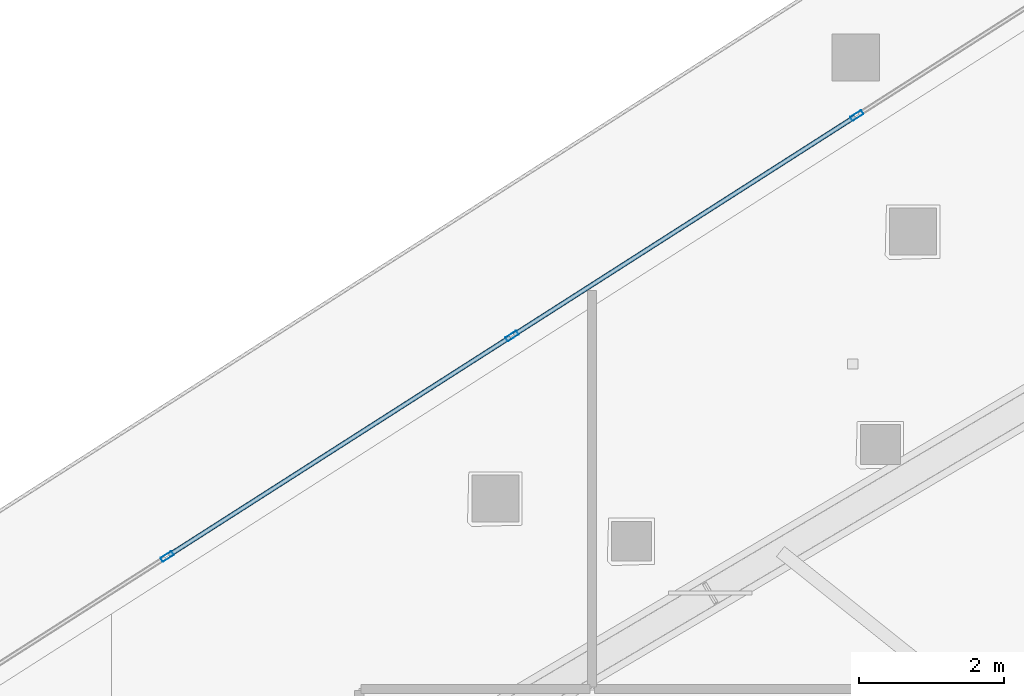
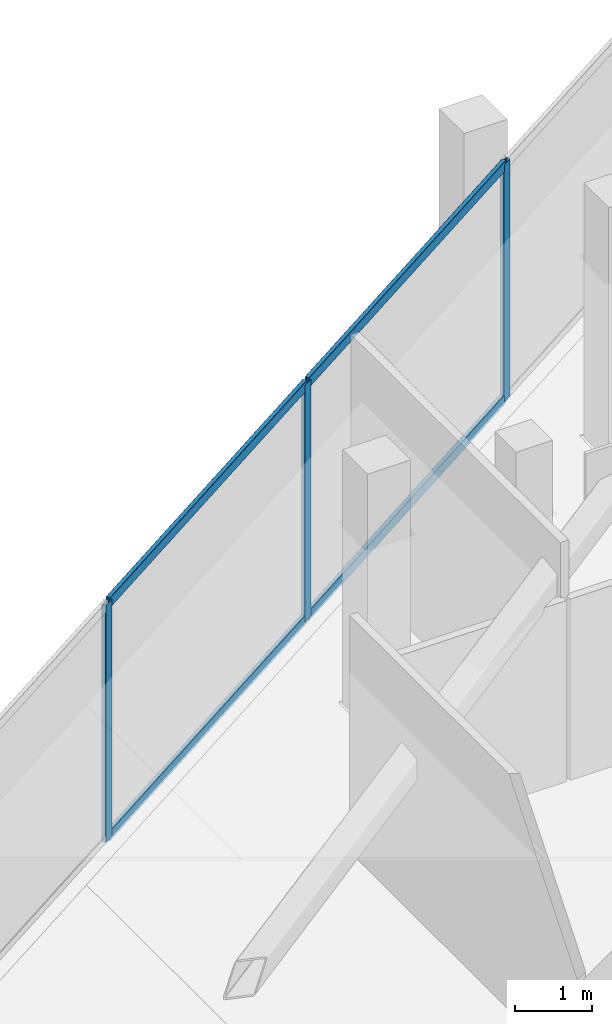
# One storey, part 17 of 39: 7 members, 1 element without a shape of its own.
"""IFC4 building model written with IfcOpenShell, lengths in metres."""

import ifcopenshell
import ifcopenshell.guid

model = None  # the IFC model being written
_history = None  # IfcOwnerHistory: only IFC2X3 demands one
_inside = {}  # id of a spatial element -> (the spatial element, [elements in it])
_under = {}  # id of a project, library or spatial element -> (it, [spatial elements below it])
_declared = {}  # id of a project -> (the project, [libraries it declares])
_typed = {}  # id of a type object -> (the type object, [elements of that type])
_made_of = {}  # id of a material, layer set ... -> (it, [elements and type objects made of it])


def new_model(schema):
    """Start an empty IFC model of exactly this schema.

    Asked for "IFC4X3", IfcOpenShell would pick the latest addendum, in which some entities
    have other attributes; the version numbers below select the first issue.
    IFC2X3 requires an IfcOwnerHistory on every rooted entity: one is made here for all.
    """
    global model, _history
    if schema == "IFC4X3":
        model = ifcopenshell.file(schema_version=(4, 3, 0, 0))
    else:
        model = ifcopenshell.file(schema=schema)
    _inside.clear()
    _under.clear()
    _declared.clear()
    _typed.clear()
    _made_of.clear()
    _history = None
    if model.schema == "IFC2X3":
        org = make("IfcOrganization", Name="unknown")
        user = make(
            "IfcPersonAndOrganization",
            ThePerson=make("IfcPerson", FamilyName="unknown"),
            TheOrganization=org,
        )
        app = make(
            "IfcApplication",
            ApplicationDeveloper=org,
            Version="unknown",
            ApplicationFullName="unknown",
            ApplicationIdentifier="unknown",
        )
        _history = make(
            "IfcOwnerHistory",
            OwningUser=user,
            OwningApplication=app,
            ChangeAction="ADDED",
            CreationDate=0,
        )
    return model


def make(cls, **values):
    """One entity of the class cls with the attributes given. An attribute that is None is left unset."""
    return model.create_entity(
        cls, **{name: value for name, value in values.items() if value is not None}
    )


def rooted(cls, **values):
    """An entity with a GlobalId (a new one), such as an element, a storey or a relation."""
    return make(cls, GlobalId=ifcopenshell.guid.new(), OwnerHistory=_history, **values)


def si_unit(unit_type, name, prefix=None):
    """IfcSIUnit, for example si_unit("LENGTHUNIT", "METRE", prefix="MILLI")."""
    return make("IfcSIUnit", UnitType=unit_type, Prefix=prefix, Name=name)


def assignment(units):
    """IfcUnitAssignment: the units of a project."""
    return None if units is None else make("IfcUnitAssignment", Units=units)


def point(xyz):
    """IfcCartesianPoint."""
    return None if xyz is None else make("IfcCartesianPoint", Coordinates=xyz)


def direction(xyz):
    """IfcDirection."""
    return None if xyz is None else make("IfcDirection", DirectionRatios=xyz)


def frame(location, z_axis=None, x_axis=None):
    """IfcAxis2Placement3D, a coordinate frame: its origin and axes. An axis left out is left unset."""
    return make(
        "IfcAxis2Placement3D",
        Location=point(location),
        Axis=direction(z_axis),
        RefDirection=direction(x_axis),
    )


def frame_2d(location, x_axis=None):
    """IfcAxis2Placement2D, a coordinate frame in the plane: its origin and x axis."""
    return make(
        "IfcAxis2Placement2D", Location=point(location), RefDirection=direction(x_axis)
    )


def origin():
    """The frame at (0, 0, 0) with its axes left unset."""
    return frame((0.0, 0.0, 0.0))


def origin_2d():
    """The frame at (0, 0) in the plane with its x axis left unset."""
    return frame_2d((0.0, 0.0))


def place(relative_to, where):
    """IfcLocalPlacement: puts the frame where relative to a parent placement (None: the world)."""
    return make(
        "IfcLocalPlacement", PlacementRelTo=relative_to, RelativePlacement=where
    )


def context(
    kind, dimensions, precision=None, world=None, true_north=None, identifier=None
):
    """IfcGeometricRepresentationContext, for example the 3D "Model" context."""
    return make(
        "IfcGeometricRepresentationContext",
        ContextIdentifier=identifier,
        ContextType=kind,
        CoordinateSpaceDimension=dimensions,
        Precision=precision,
        WorldCoordinateSystem=world,
        TrueNorth=true_north,
    )


def subcontext(parent, identifier, kind, view, scale=None):
    """IfcGeometricRepresentationSubContext, for example "Body" below "Model"."""
    return make(
        "IfcGeometricRepresentationSubContext",
        ContextIdentifier=identifier,
        ContextType=kind,
        ParentContext=parent,
        TargetScale=scale,
        TargetView=view,
    )


def project(units=None, contexts=None):
    """IfcProject with its units and contexts."""
    return rooted(
        "IfcProject",
        Name="project",
        RepresentationContexts=contexts,
        UnitsInContext=assignment(units),
    )


def spatial(cls, under=None, at=None, **own):
    """A site, building, storey or space (cls), placed at a placement, below another one or the project."""
    s = rooted(cls, ObjectPlacement=at, **own)
    if under is not None:
        _under.setdefault(under.id(), (under, []))[1].append(s)
    return s


def profile(cls, at=None, kind="AREA", **sizes):
    """A parametric profile (cls). Its sizes go by their IFC names, for example OverallWidth=200.0."""
    return make(cls, ProfileType=kind, Position=at, **sizes)


def hollow_rectangle(**sizes):
    """IfcRectangleHollowProfileDef."""
    return profile("IfcRectangleHollowProfileDef", **sizes)


def extrude(swept, where, along, depth):
    """IfcExtrudedAreaSolid: the profile swept, set in the frame where, extruded along a direction by depth."""
    return make(
        "IfcExtrudedAreaSolid",
        SweptArea=swept,
        Position=where,
        ExtrudedDirection=direction(along),
        Depth=depth,
    )


def shape(context_of_items, identifier, shape_type, items):
    """IfcShapeRepresentation: the items that make up one representation, for example the "Body"."""
    return make(
        "IfcShapeRepresentation",
        ContextOfItems=context_of_items,
        RepresentationIdentifier=identifier,
        RepresentationType=shape_type,
        Items=items,
    )


def material(Name=None, Category=None):
    """IfcMaterial."""
    return make("IfcMaterial", Name=Name, Category=Category)


def layer(
    of_material, thickness, ventilated=None, Name=None, Category=None, Priority=None
):
    """IfcMaterialLayer: one layer of a wall or slab, of a material (None: an air gap)."""
    return make(
        "IfcMaterialLayer",
        Material=of_material,
        LayerThickness=thickness,
        IsVentilated=ventilated,
        Name=Name,
        Category=Category,
        Priority=Priority,
    )


def layer_set(layers, Name=None):
    """IfcMaterialLayerSet."""
    return make("IfcMaterialLayerSet", MaterialLayers=layers, LayerSetName=Name)


def material_profile(
    of_material, cross_section, Name=None, Category=None, Priority=None
):
    """IfcMaterialProfile: a cross section and its material."""
    return make(
        "IfcMaterialProfile",
        Name=Name,
        Material=of_material,
        Profile=cross_section,
        Priority=Priority,
        Category=Category,
    )


def profile_set(profiles, Name=None, composite=None):
    """IfcMaterialProfileSet."""
    return make(
        "IfcMaterialProfileSet",
        Name=Name,
        MaterialProfiles=profiles,
        CompositeProfile=composite,
    )


def made_of(thing, what):
    """Note that an element or type object is made of a material, layer set ...; save() writes the relation."""
    if what is not None:
        _made_of.setdefault(what.id(), (what, []))[1].append(thing)
    return thing


def type_object(cls, material=None, **own):
    """A type object (cls), such as IfcWallType, which elements share."""
    return made_of(rooted(cls, **own), material)


def element(
    cls,
    number,
    at=None,
    inside=None,
    cuts=None,
    type_object=None,
    material=None,
    context=None,
    identifier="Body",
    shape_type=None,
    held_by="IfcProductDefinitionShape",
    body=None,
    shapes=None,
    **own,
):
    """One element of the class cls, such as IfcWall. Its Tag is "e" and its number.

    at: its placement. inside: the storey or other place that contains it. cuts: it is an
    opening in that element (IfcRelVoidsElement). A single representation is given by context,
    identifier, shape_type and body (its items); several are given by shapes. held_by: the class
    of the entity that holds the representations. save() writes the other relations.
    """
    e = rooted(cls, Tag="e%d" % number, ObjectPlacement=at, **own)
    if body is not None:
        shapes = [shape(context, identifier, shape_type, body)]
    if shapes is not None:
        e.Representation = make(held_by, Representations=shapes)
    if inside is not None:
        _inside.setdefault(inside.id(), (inside, []))[1].append(e)
    if cuts is not None:
        rooted(
            "IfcRelVoidsElement", RelatingBuildingElement=cuts, RelatedOpeningElement=e
        )
    if type_object is not None:
        _typed.setdefault(type_object.id(), (type_object, []))[1].append(e)
    return made_of(e, material)


def aggregate(whole, parts):
    """IfcRelAggregates: a whole, such as a stair, and the parts it consists of."""
    return rooted("IfcRelAggregates", RelatingObject=whole, RelatedObjects=parts)


def save(model, path):
    """Write the relations noted so far, then the file.

    IfcRelAggregates (storeys below a building ...), IfcRelContainedInSpatialStructure (elements
    in a storey), IfcRelDefinesByType, IfcRelAssociatesMaterial and IfcRelDeclares: one each for
    every whole, place, type object, material and project.
    """
    for whole, parts in _under.values():
        aggregate(whole, parts)
    for where, things in _inside.values():
        rooted(
            "IfcRelContainedInSpatialStructure",
            RelatedElements=things,
            RelatingStructure=where,
        )
    for kind, things in _typed.values():
        rooted("IfcRelDefinesByType", RelatedObjects=things, RelatingType=kind)
    for what, things in _made_of.values():
        rooted("IfcRelAssociatesMaterial", RelatedObjects=things, RelatingMaterial=what)
    for by, libraries in _declared.values():
        rooted("IfcRelDeclares", RelatingContext=by, RelatedDefinitions=libraries)
    model.write(path)


model = new_model("IFC4")

# Units and contexts
model_context = context("Model", 3, precision=1e-05, world=origin(), true_north=direction((0.0, 1.0)))
body_context = subcontext(model_context, "Body", "Model", "MODEL_VIEW")
ifc_project = project(units=[si_unit("LENGTHUNIT", "METRE"), si_unit("AREAUNIT", "SQUARE_METRE"), si_unit("VOLUMEUNIT", "CUBIC_METRE"), si_unit("PLANEANGLEUNIT", "RADIAN"), si_unit("MASSUNIT", "GRAM", prefix="KILO")], contexts=[model_context])

# Site, building, storey
site_placement = place(None, origin())
site = spatial("IfcSite", under=ifc_project, at=site_placement, CompositionType="ELEMENT")
building_placement = place(site_placement, origin())
building = spatial("IfcBuilding", under=site, at=building_placement, Name="Qorvath Tower", CompositionType="ELEMENT")
storey_placement = place(building_placement, frame((0.0, 0.0, 201.0)))
storey = spatial("IfcBuildingStorey", under=building, at=storey_placement, Name="L46", CompositionType="ELEMENT", Elevation=201.0)

# Curtain wall, members
ifc_material_1 = material(Name="Anodised aluminium and triple low-E glass", Category="aluminium")
ifc_layer = layer(ifc_material_1, 0.179931640625)
ifc_layer_set = layer_set([ifc_layer], Name="CW-SYS-3")
curtain_wall_type = type_object("IfcCurtainWallType", Name="CW-SYS-3", PredefinedType="NOTDEFINED", material=ifc_layer_set)
curtain_wall_placement = place(storey_placement, origin())
curtain_wall = element("IfcCurtainWall", 1, at=curtain_wall_placement, inside=storey, type_object=curtain_wall_type, Name="Curtain Wall CW-3 CW-T-L46-16.1", PredefinedType="NOTDEFINED")
ifc_material_2 = material(Name="Anodised aluminium 6063-T6", Category="aluminium")
ifc_material_profile_1 = material_profile(ifc_material_2, hollow_rectangle(XDim=0.06494140625, YDim=0.179931640625, WallThickness=0.00341796875, InnerFilletRadius=0.00341796875, OuterFilletRadius=0.007080078125, at=origin_2d()), Name="CWM 180x65")
ifc_profile_set_1 = profile_set([ifc_material_profile_1], Name="Anodised aluminium 6063-T6")
member_type_1 = type_object("IfcMemberType", Name="CWM-180", PredefinedType="MULLION", material=ifc_profile_set_1)
member_1_placement = place(storey_placement, frame((-31.000244140625, 18.65869140625, 0.0), z_axis=(0.0, 0.0, 1.0), x_axis=(0.538533623725, -0.842604020948, 0.0)))
member_1 = element("IfcMember", 2, at=member_1_placement, type_object=member_type_1, Name="CW-3 mullion 4", PredefinedType="MULLION", context=body_context, shape_type="SweptSolid", body=[
    extrude(hollow_rectangle(XDim=0.06494140625, YDim=0.179931640625, WallThickness=0.00341796875, InnerFilletRadius=0.00341796875, OuterFilletRadius=0.007080078125, at=origin_2d()), origin(), (0.0, 0.0, 1.0), 3.780029296875),
])
member_2_placement = place(storey_placement, frame((-35.752685546875, 15.62109375, 0.0), z_axis=(0.0, 0.0, 1.0), x_axis=(0.538533623725, -0.842604020948, 0.0)))
member_2 = element("IfcMember", 3, at=member_2_placement, type_object=member_type_1, Name="CW-3 mullion 5", PredefinedType="MULLION", context=body_context, shape_type="SweptSolid", body=[
    extrude(hollow_rectangle(XDim=0.06494140625, YDim=0.179931640625, WallThickness=0.00341796875, InnerFilletRadius=0.00341796875, OuterFilletRadius=0.007080078125, at=origin_2d()), origin(), (0.0, 0.0, 1.0), 3.780029296875),
])
member_3_placement = place(storey_placement, frame((-40.50537109375, 12.583740234375, 0.0), z_axis=(0.0, 0.0, 1.0), x_axis=(0.538533623725, -0.842604020948, 0.0)))
member_3 = element("IfcMember", 4, at=member_3_placement, type_object=member_type_1, Name="CW-3 mullion 6", PredefinedType="MULLION", context=body_context, shape_type="SweptSolid", body=[
    extrude(hollow_rectangle(XDim=0.06494140625, YDim=0.179931640625, WallThickness=0.00341796875, InnerFilletRadius=0.00341796875, OuterFilletRadius=0.007080078125, at=origin_2d()), origin(), (0.0, 0.0, 1.0), 3.780029296875),
])
ifc_material_3 = material(Name="Anodised aluminium 6063-T6", Category="aluminium")
ifc_material_profile_2 = material_profile(ifc_material_3, hollow_rectangle(XDim=0.06494140625, YDim=0.159912109375, WallThickness=0.00341796875, InnerFilletRadius=0.00341796875, OuterFilletRadius=0.007080078125, at=origin_2d()), Name="CWT 160x65")
ifc_profile_set_2 = profile_set([ifc_material_profile_2], Name="Anodised aluminium 6063-T6")
member_type_2 = type_object("IfcMemberType", Name="CWT-160", PredefinedType="USERDEFINED", material=ifc_profile_set_2)
member_4_placement = place(storey_placement, frame((-31.027587890625, 18.64111328125, 0.032470703125), z_axis=(-0.842606844645, -0.538529205667, 0.0), x_axis=(0.538529205667, -0.842606844645, 0.0)))
member_4 = element("IfcMember", 5, at=member_4_placement, type_object=member_type_2, Name="CW-3 transom 4.1", ObjectType="TRANSOM", PredefinedType="USERDEFINED", context=body_context, shape_type="SweptSolid", body=[
    extrude(hollow_rectangle(XDim=0.06494140625, YDim=0.159912109375, WallThickness=0.00341796875, InnerFilletRadius=0.00341796875, OuterFilletRadius=0.007080078125, at=origin_2d()), origin(), (0.0, 0.0, 1.0), 5.5751953125),
])
member_5_placement = place(storey_placement, frame((-31.027587890625, 18.64111328125, 3.74755859375), z_axis=(-0.842606844645, -0.538529205667, 0.0), x_axis=(0.538529205667, -0.842606844645, 0.0)))
member_5 = element("IfcMember", 6, at=member_5_placement, type_object=member_type_2, Name="CW-3 transom 4.2", ObjectType="TRANSOM", PredefinedType="USERDEFINED", context=body_context, shape_type="SweptSolid", body=[
    extrude(hollow_rectangle(XDim=0.06494140625, YDim=0.159912109375, WallThickness=0.00341796875, InnerFilletRadius=0.00341796875, OuterFilletRadius=0.007080078125, at=origin_2d()), origin(), (0.0, 0.0, 1.0), 5.5751953125),
])
member_6_placement = place(storey_placement, frame((-35.7802734375, 15.603759765625, 0.032470703125), z_axis=(-0.842594144247, -0.538549076761, 0.0), x_axis=(0.538549076761, -0.842594144247, 0.0)))
member_6 = element("IfcMember", 7, at=member_6_placement, type_object=member_type_2, Name="CW-3 transom 5.1", ObjectType="TRANSOM", PredefinedType="USERDEFINED", context=body_context, shape_type="SweptSolid", body=[
    extrude(hollow_rectangle(XDim=0.06494140625, YDim=0.159912109375, WallThickness=0.00341796875, InnerFilletRadius=0.00341796875, OuterFilletRadius=0.007080078125, at=origin_2d()), origin(), (0.0, 0.0, 1.0), 5.574951171875),
])
member_7_placement = place(storey_placement, frame((-35.7802734375, 15.603759765625, 3.74755859375), z_axis=(-0.842594144247, -0.538549076761, 0.0), x_axis=(0.538549076761, -0.842594144247, 0.0)))
member_7 = element("IfcMember", 8, at=member_7_placement, type_object=member_type_2, Name="CW-3 transom 5.2", ObjectType="TRANSOM", PredefinedType="USERDEFINED", context=body_context, shape_type="SweptSolid", body=[
    extrude(hollow_rectangle(XDim=0.06494140625, YDim=0.159912109375, WallThickness=0.00341796875, InnerFilletRadius=0.00341796875, OuterFilletRadius=0.007080078125, at=origin_2d()), origin(), (0.0, 0.0, 1.0), 5.574951171875),
])
aggregate(curtain_wall, [member_1, member_2, member_3, member_4, member_5, member_6, member_7])

save(model, "model.ifc")
